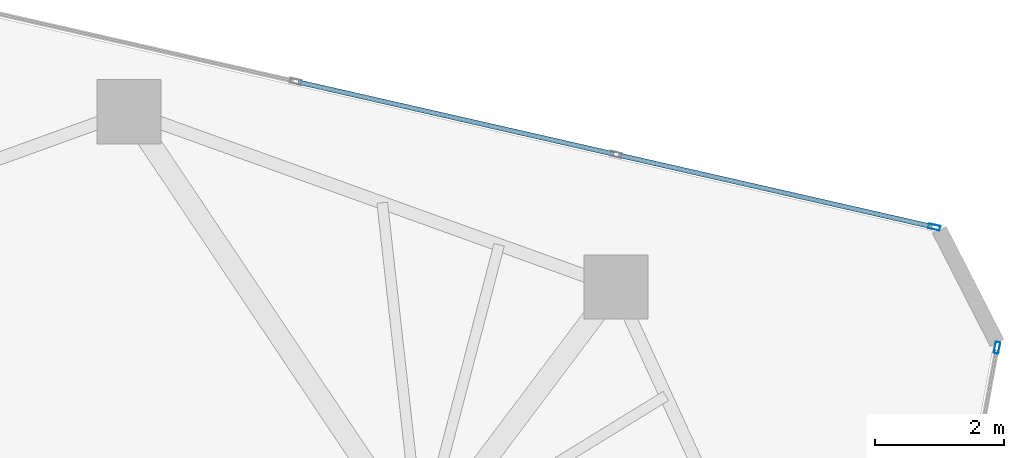
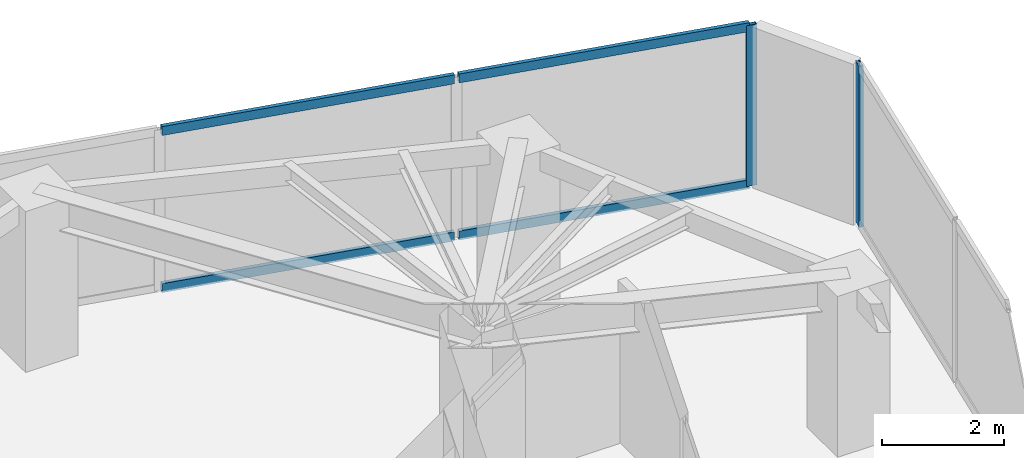
# One storey, part 14 of 19: 6 members, 2 elements without a shape of their own.
"""IFC4 building model written with IfcOpenShell, lengths in metres."""

import ifcopenshell
import ifcopenshell.guid

model = None  # the IFC model being written
_history = None  # IfcOwnerHistory: only IFC2X3 demands one
_inside = {}  # id of a spatial element -> (the spatial element, [elements in it])
_under = {}  # id of a project, library or spatial element -> (it, [spatial elements below it])
_declared = {}  # id of a project -> (the project, [libraries it declares])
_typed = {}  # id of a type object -> (the type object, [elements of that type])
_made_of = {}  # id of a material, layer set ... -> (it, [elements and type objects made of it])


def new_model(schema):
    """Start an empty IFC model of exactly this schema.

    Asked for "IFC4X3", IfcOpenShell would pick the latest addendum, in which some entities
    have other attributes; the version numbers below select the first issue.
    IFC2X3 requires an IfcOwnerHistory on every rooted entity: one is made here for all.
    """
    global model, _history
    if schema == "IFC4X3":
        model = ifcopenshell.file(schema_version=(4, 3, 0, 0))
    else:
        model = ifcopenshell.file(schema=schema)
    _inside.clear()
    _under.clear()
    _declared.clear()
    _typed.clear()
    _made_of.clear()
    _history = None
    if model.schema == "IFC2X3":
        org = make("IfcOrganization", Name="unknown")
        user = make(
            "IfcPersonAndOrganization",
            ThePerson=make("IfcPerson", FamilyName="unknown"),
            TheOrganization=org,
        )
        app = make(
            "IfcApplication",
            ApplicationDeveloper=org,
            Version="unknown",
            ApplicationFullName="unknown",
            ApplicationIdentifier="unknown",
        )
        _history = make(
            "IfcOwnerHistory",
            OwningUser=user,
            OwningApplication=app,
            ChangeAction="ADDED",
            CreationDate=0,
        )
    return model


def make(cls, **values):
    """One entity of the class cls with the attributes given. An attribute that is None is left unset."""
    return model.create_entity(
        cls, **{name: value for name, value in values.items() if value is not None}
    )


def rooted(cls, **values):
    """An entity with a GlobalId (a new one), such as an element, a storey or a relation."""
    return make(cls, GlobalId=ifcopenshell.guid.new(), OwnerHistory=_history, **values)


def si_unit(unit_type, name, prefix=None):
    """IfcSIUnit, for example si_unit("LENGTHUNIT", "METRE", prefix="MILLI")."""
    return make("IfcSIUnit", UnitType=unit_type, Prefix=prefix, Name=name)


def assignment(units):
    """IfcUnitAssignment: the units of a project."""
    return None if units is None else make("IfcUnitAssignment", Units=units)


def point(xyz):
    """IfcCartesianPoint."""
    return None if xyz is None else make("IfcCartesianPoint", Coordinates=xyz)


def direction(xyz):
    """IfcDirection."""
    return None if xyz is None else make("IfcDirection", DirectionRatios=xyz)


def frame(location, z_axis=None, x_axis=None):
    """IfcAxis2Placement3D, a coordinate frame: its origin and axes. An axis left out is left unset."""
    return make(
        "IfcAxis2Placement3D",
        Location=point(location),
        Axis=direction(z_axis),
        RefDirection=direction(x_axis),
    )


def frame_2d(location, x_axis=None):
    """IfcAxis2Placement2D, a coordinate frame in the plane: its origin and x axis."""
    return make(
        "IfcAxis2Placement2D", Location=point(location), RefDirection=direction(x_axis)
    )


def origin():
    """The frame at (0, 0, 0) with its axes left unset."""
    return frame((0.0, 0.0, 0.0))


def origin_2d():
    """The frame at (0, 0) in the plane with its x axis left unset."""
    return frame_2d((0.0, 0.0))


def place(relative_to, where):
    """IfcLocalPlacement: puts the frame where relative to a parent placement (None: the world)."""
    return make(
        "IfcLocalPlacement", PlacementRelTo=relative_to, RelativePlacement=where
    )


def context(
    kind, dimensions, precision=None, world=None, true_north=None, identifier=None
):
    """IfcGeometricRepresentationContext, for example the 3D "Model" context."""
    return make(
        "IfcGeometricRepresentationContext",
        ContextIdentifier=identifier,
        ContextType=kind,
        CoordinateSpaceDimension=dimensions,
        Precision=precision,
        WorldCoordinateSystem=world,
        TrueNorth=true_north,
    )


def subcontext(parent, identifier, kind, view, scale=None):
    """IfcGeometricRepresentationSubContext, for example "Body" below "Model"."""
    return make(
        "IfcGeometricRepresentationSubContext",
        ContextIdentifier=identifier,
        ContextType=kind,
        ParentContext=parent,
        TargetScale=scale,
        TargetView=view,
    )


def project(units=None, contexts=None):
    """IfcProject with its units and contexts."""
    return rooted(
        "IfcProject",
        Name="project",
        RepresentationContexts=contexts,
        UnitsInContext=assignment(units),
    )


def spatial(cls, under=None, at=None, **own):
    """A site, building, storey or space (cls), placed at a placement, below another one or the project."""
    s = rooted(cls, ObjectPlacement=at, **own)
    if under is not None:
        _under.setdefault(under.id(), (under, []))[1].append(s)
    return s


def profile(cls, at=None, kind="AREA", **sizes):
    """A parametric profile (cls). Its sizes go by their IFC names, for example OverallWidth=200.0."""
    return make(cls, ProfileType=kind, Position=at, **sizes)


def hollow_rectangle(**sizes):
    """IfcRectangleHollowProfileDef."""
    return profile("IfcRectangleHollowProfileDef", **sizes)


def extrude(swept, where, along, depth):
    """IfcExtrudedAreaSolid: the profile swept, set in the frame where, extruded along a direction by depth."""
    return make(
        "IfcExtrudedAreaSolid",
        SweptArea=swept,
        Position=where,
        ExtrudedDirection=direction(along),
        Depth=depth,
    )


def shape(context_of_items, identifier, shape_type, items):
    """IfcShapeRepresentation: the items that make up one representation, for example the "Body"."""
    return make(
        "IfcShapeRepresentation",
        ContextOfItems=context_of_items,
        RepresentationIdentifier=identifier,
        RepresentationType=shape_type,
        Items=items,
    )


def source(mapping_origin, context_of_items, identifier, shape_type, items):
    """IfcRepresentationMap: a shape defined once, which mapped items show again and again."""
    return make(
        "IfcRepresentationMap",
        MappingOrigin=mapping_origin,
        MappedRepresentation=shape(context_of_items, identifier, shape_type, items),
    )


def transform(
    local_origin,
    x_axis=None,
    y_axis=None,
    z_axis=None,
    scale=None,
    scale2=None,
    scale3=None,
    uniform=True,
):
    """IfcCartesianTransformationOperator3D, or its non-uniform kind. x_axis, y_axis, z_axis: its Axis1, 2, 3."""
    if uniform:
        return make(
            "IfcCartesianTransformationOperator3D",
            Axis1=direction(x_axis),
            Axis2=direction(y_axis),
            LocalOrigin=point(local_origin),
            Scale=scale,
            Axis3=direction(z_axis),
        )
    return make(
        "IfcCartesianTransformationOperator3DnonUniform",
        Axis1=direction(x_axis),
        Axis2=direction(y_axis),
        LocalOrigin=point(local_origin),
        Scale=scale,
        Axis3=direction(z_axis),
        Scale2=scale2,
        Scale3=scale3,
    )


def mapped(mapping_source, mapping_target):
    """IfcMappedItem: shows the shape of a source again, moved by a transform."""
    return make(
        "IfcMappedItem", MappingSource=mapping_source, MappingTarget=mapping_target
    )


def material(Name=None, Category=None):
    """IfcMaterial."""
    return make("IfcMaterial", Name=Name, Category=Category)


def layer(
    of_material, thickness, ventilated=None, Name=None, Category=None, Priority=None
):
    """IfcMaterialLayer: one layer of a wall or slab, of a material (None: an air gap)."""
    return make(
        "IfcMaterialLayer",
        Material=of_material,
        LayerThickness=thickness,
        IsVentilated=ventilated,
        Name=Name,
        Category=Category,
        Priority=Priority,
    )


def layer_set(layers, Name=None):
    """IfcMaterialLayerSet."""
    return make("IfcMaterialLayerSet", MaterialLayers=layers, LayerSetName=Name)


def material_profile(
    of_material, cross_section, Name=None, Category=None, Priority=None
):
    """IfcMaterialProfile: a cross section and its material."""
    return make(
        "IfcMaterialProfile",
        Name=Name,
        Material=of_material,
        Profile=cross_section,
        Priority=Priority,
        Category=Category,
    )


def profile_set(profiles, Name=None, composite=None):
    """IfcMaterialProfileSet."""
    return make(
        "IfcMaterialProfileSet",
        Name=Name,
        MaterialProfiles=profiles,
        CompositeProfile=composite,
    )


def made_of(thing, what):
    """Note that an element or type object is made of a material, layer set ...; save() writes the relation."""
    if what is not None:
        _made_of.setdefault(what.id(), (what, []))[1].append(thing)
    return thing


def type_object(cls, material=None, **own):
    """A type object (cls), such as IfcWallType, which elements share."""
    return made_of(rooted(cls, **own), material)


def type_shapes(of_type, sources):
    """Give a type object the sources (RepresentationMaps) that its elements show as mapped items."""
    of_type.RepresentationMaps = sources


def element(
    cls,
    number,
    at=None,
    inside=None,
    cuts=None,
    type_object=None,
    material=None,
    context=None,
    identifier="Body",
    shape_type=None,
    held_by="IfcProductDefinitionShape",
    body=None,
    shapes=None,
    **own,
):
    """One element of the class cls, such as IfcWall. Its Tag is "e" and its number.

    at: its placement. inside: the storey or other place that contains it. cuts: it is an
    opening in that element (IfcRelVoidsElement). A single representation is given by context,
    identifier, shape_type and body (its items); several are given by shapes. held_by: the class
    of the entity that holds the representations. save() writes the other relations.
    """
    e = rooted(cls, Tag="e%d" % number, ObjectPlacement=at, **own)
    if body is not None:
        shapes = [shape(context, identifier, shape_type, body)]
    if shapes is not None:
        e.Representation = make(held_by, Representations=shapes)
    if inside is not None:
        _inside.setdefault(inside.id(), (inside, []))[1].append(e)
    if cuts is not None:
        rooted(
            "IfcRelVoidsElement", RelatingBuildingElement=cuts, RelatedOpeningElement=e
        )
    if type_object is not None:
        _typed.setdefault(type_object.id(), (type_object, []))[1].append(e)
    return made_of(e, material)


def aggregate(whole, parts):
    """IfcRelAggregates: a whole, such as a stair, and the parts it consists of."""
    return rooted("IfcRelAggregates", RelatingObject=whole, RelatedObjects=parts)


def save(model, path):
    """Write the relations noted so far, then the file.

    IfcRelAggregates (storeys below a building ...), IfcRelContainedInSpatialStructure (elements
    in a storey), IfcRelDefinesByType, IfcRelAssociatesMaterial and IfcRelDeclares: one each for
    every whole, place, type object, material and project.
    """
    for whole, parts in _under.values():
        aggregate(whole, parts)
    for where, things in _inside.values():
        rooted(
            "IfcRelContainedInSpatialStructure",
            RelatedElements=things,
            RelatingStructure=where,
        )
    for kind, things in _typed.values():
        rooted("IfcRelDefinesByType", RelatedObjects=things, RelatingType=kind)
    for what, things in _made_of.values():
        rooted("IfcRelAssociatesMaterial", RelatedObjects=things, RelatingMaterial=what)
    for by, libraries in _declared.values():
        rooted("IfcRelDeclares", RelatingContext=by, RelatedDefinitions=libraries)
    model.write(path)


model = new_model("IFC4")

# Units and contexts
model_context = context("Model", 3, precision=1e-05, world=origin(), true_north=direction((0.0, 1.0)))
body_context = subcontext(model_context, "Body", "Model", "MODEL_VIEW")
ifc_project = project(units=[si_unit("LENGTHUNIT", "METRE"), si_unit("AREAUNIT", "SQUARE_METRE"), si_unit("VOLUMEUNIT", "CUBIC_METRE"), si_unit("PLANEANGLEUNIT", "RADIAN"), si_unit("MASSUNIT", "GRAM", prefix="KILO")], contexts=[model_context])

# Site, building, storey
site_placement = place(None, origin())
site = spatial("IfcSite", under=ifc_project, at=site_placement, CompositionType="ELEMENT")
building_placement = place(site_placement, origin())
building = spatial("IfcBuilding", under=site, at=building_placement, Name="Talar Marvaseh", CompositionType="ELEMENT")
storey_placement = place(building_placement, frame((0.0, 0.0, 195.0)))
storey = spatial("IfcBuildingStorey", under=building, at=storey_placement, Name="L51", CompositionType="ELEMENT", Elevation=195.0)

# Curtain wall, member
ifc_material = material(Name="Architectural Aluminium", Category="aluminium")
ifc_layer = layer(ifc_material, 0.18994140625)
ifc_layer_set = layer_set([ifc_layer], Name="Architectural Aluminium")
curtain_wall_type = type_object("IfcCurtainWallType", Name="Unitised Solar Atelier Curtain Wall Z3", PredefinedType="NOTDEFINED", material=ifc_layer_set)
curtain_wall_1_placement = place(storey_placement, origin())
curtain_wall_1 = element("IfcCurtainWall", 1, at=curtain_wall_1_placement, inside=storey, type_object=curtain_wall_type, Name="L51 Unitised Solar Atelier Curtain Wall Z3", PredefinedType="NOTDEFINED")
ifc_material_profile_1 = material_profile(ifc_material, hollow_rectangle(XDim=0.074951171875, YDim=0.179931640625, WallThickness=0.0048828125, at=origin_2d()), Name="RHS180x75x5")
ifc_profile_set_1 = profile_set([ifc_material_profile_1], Name="Architectural Aluminium")
member_type_1 = type_object("IfcMemberType", Name="Unitised Curtain Wall Standard Mullion RHS180x75x5", PredefinedType="MULLION", material=ifc_profile_set_1)
shared_shape_1 = source(origin(), body_context, "Body", "SweptSolid", [
    extrude(hollow_rectangle(XDim=0.074951171875, YDim=0.179931640625, WallThickness=0.0048828125, at=origin_2d()), origin(), (0.0, 0.0, 1.0), 3.22998046875),
])
type_shapes(member_type_1, [shared_shape_1])
member_1_placement = place(storey_placement, frame((41.29345703125, 41.871337890625, 0.0), z_axis=(0.0, 0.0, 1.0), x_axis=(0.222334787767, 0.974970380139, 0.0)))
member_1 = element("IfcMember", 2, at=member_1_placement, type_object=member_type_1, Name="CW-Z3 mullion 4", PredefinedType="MULLION", context=body_context, shape_type="MappedRepresentation", body=[
    mapped(shared_shape_1, transform((0.0, 0.0, 0.0), x_axis=(1.0, 0.0, 0.0), y_axis=(0.0, 1.0, 0.0), z_axis=(0.0, 0.0, 1.0), scale=1.0)),
])

curtain_wall_2_placement = place(storey_placement, origin())
curtain_wall_2 = element("IfcCurtainWall", 3, at=curtain_wall_2_placement, inside=storey, type_object=curtain_wall_type, Name="L51 Unitised Solar Atelier Curtain Wall Z3", PredefinedType="NOTDEFINED")
member_2_placement = place(storey_placement, frame((42.26904296875, 39.99560546875, 0.0), z_axis=(0.0, 0.0, 1.0), x_axis=(0.983226848448, -0.182386853944, 0.0)))
member_2 = element("IfcMember", 4, at=member_2_placement, type_object=member_type_1, Name="CW-Z3 mullion 1", PredefinedType="MULLION", context=body_context, shape_type="MappedRepresentation", body=[
    mapped(shared_shape_1, transform((0.0, 0.0, 0.0), x_axis=(1.0, 0.0, 0.0), y_axis=(0.0, 1.0, 0.0), z_axis=(0.0, 0.0, 1.0), scale=1.0)),
])
aggregate(curtain_wall_2, [member_2])

# Member
ifc_material_profile_2 = material_profile(ifc_material, hollow_rectangle(XDim=0.074951171875, YDim=0.179931640625, WallThickness=0.0048828125, at=origin_2d()), Name="RHS180x75x5")
ifc_profile_set_2 = profile_set([ifc_material_profile_2], Name="Architectural Aluminium")
member_type_2 = type_object("IfcMemberType", Name="Unitised Curtain Wall Transom RHS180x75x5", PredefinedType="USERDEFINED", material=ifc_profile_set_2)
shared_shape_2 = source(origin(), body_context, "Body", "SweptSolid", [
    extrude(hollow_rectangle(XDim=0.074951171875, YDim=0.179931640625, WallThickness=0.0048828125, at=origin_2d()), origin(), (0.0, 0.0, 1.0), 5.000732421875),
])
member_3_placement = place(storey_placement, frame((36.381591796875, 42.991455078125, 0.03759765625), z_axis=(0.974970495206, -0.222334283183, 0.0), x_axis=(0.222334283183, 0.974970495206, 0.0)))
member_3 = element("IfcMember", 5, at=member_3_placement, type_object=member_type_2, Name="CW-Z3 transom 3.1", ObjectType="TRANSOM", PredefinedType="USERDEFINED", context=body_context, shape_type="MappedRepresentation", body=[
    mapped(shared_shape_2, transform((0.0, 0.0, 0.0), x_axis=(1.0, 0.0, 0.0), y_axis=(0.0, 1.0, 0.0), z_axis=(0.0, 0.0, 1.0), scale=1.0)),
])

member_4_placement = place(storey_placement, frame((36.381591796875, 42.991455078125, 3.1923828125), z_axis=(0.974970495206, -0.222334283183, 0.0), x_axis=(0.222334283183, 0.974970495206, 0.0)))
member_4 = element("IfcMember", 6, at=member_4_placement, type_object=member_type_2, Name="CW-Z3 transom 3.2", ObjectType="TRANSOM", PredefinedType="USERDEFINED", context=body_context, shape_type="MappedRepresentation", body=[
    mapped(shared_shape_2, transform((0.0, 0.0, 0.0), x_axis=(1.0, 0.0, 0.0), y_axis=(0.0, 1.0, 0.0), z_axis=(0.0, 0.0, 1.0), scale=1.0)),
])

shared_shape_3 = source(origin(), body_context, "Body", "SweptSolid", [
    extrude(hollow_rectangle(XDim=0.074951171875, YDim=0.179931640625, WallThickness=0.0048828125, at=origin_2d()), origin(), (0.0, 0.0, 1.0), 5.0380859375),
])
type_shapes(member_type_2, [shared_shape_2, shared_shape_3])
member_5_placement = place(storey_placement, frame((31.396484375, 44.128173828125, 0.03759765625), z_axis=(0.974972662272, -0.222324780045, 0.0), x_axis=(0.222324780045, 0.974972662272, 0.0)))
member_5 = element("IfcMember", 7, at=member_5_placement, type_object=member_type_2, Name="CW-Z3 transom 2.1", ObjectType="TRANSOM", PredefinedType="USERDEFINED", context=body_context, shape_type="MappedRepresentation", body=[
    mapped(shared_shape_3, transform((0.0, 0.0, 0.0), x_axis=(1.0, 0.0, 0.0), y_axis=(0.0, 1.0, 0.0), z_axis=(0.0, 0.0, 1.0), scale=1.0)),
])

member_6_placement = place(storey_placement, frame((31.396484375, 44.128173828125, 3.1923828125), z_axis=(0.974972662272, -0.222324780045, 0.0), x_axis=(0.222324780045, 0.974972662272, 0.0)))
member_6 = element("IfcMember", 8, at=member_6_placement, type_object=member_type_2, Name="CW-Z3 transom 2.2", ObjectType="TRANSOM", PredefinedType="USERDEFINED", context=body_context, shape_type="MappedRepresentation", body=[
    mapped(shared_shape_3, transform((0.0, 0.0, 0.0), x_axis=(1.0, 0.0, 0.0), y_axis=(0.0, 1.0, 0.0), z_axis=(0.0, 0.0, 1.0), scale=1.0)),
])

aggregate(curtain_wall_1, [member_1, member_5, member_6, member_3, member_4])

save(model, "model.ifc")
